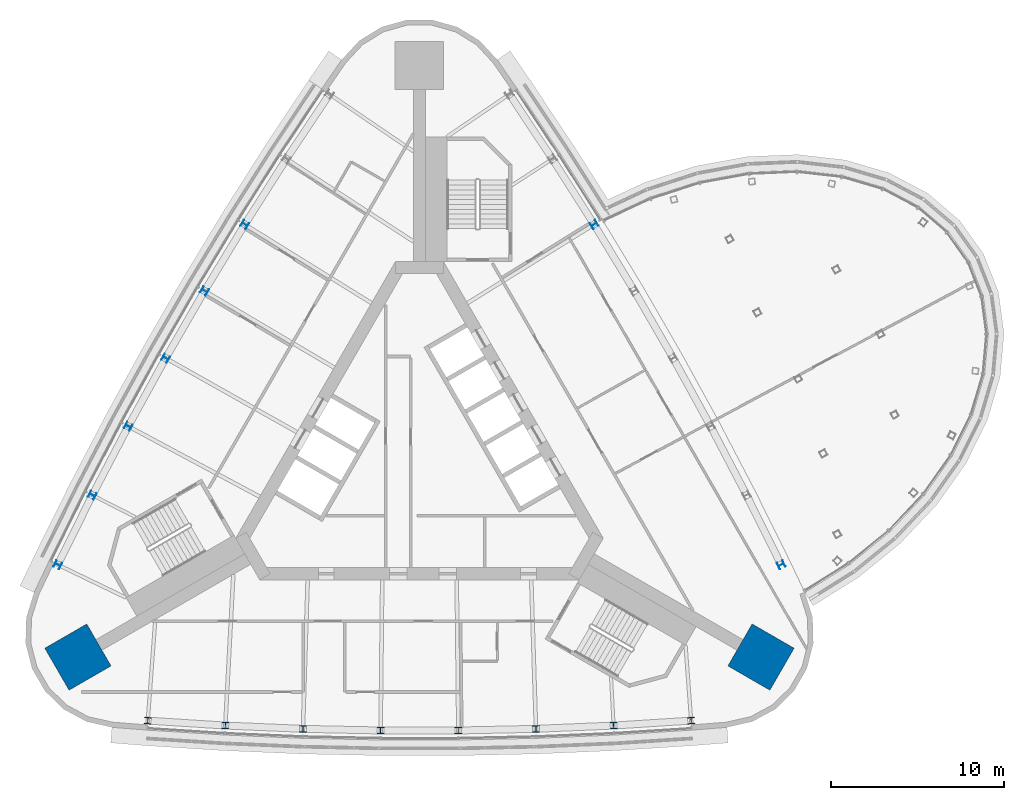
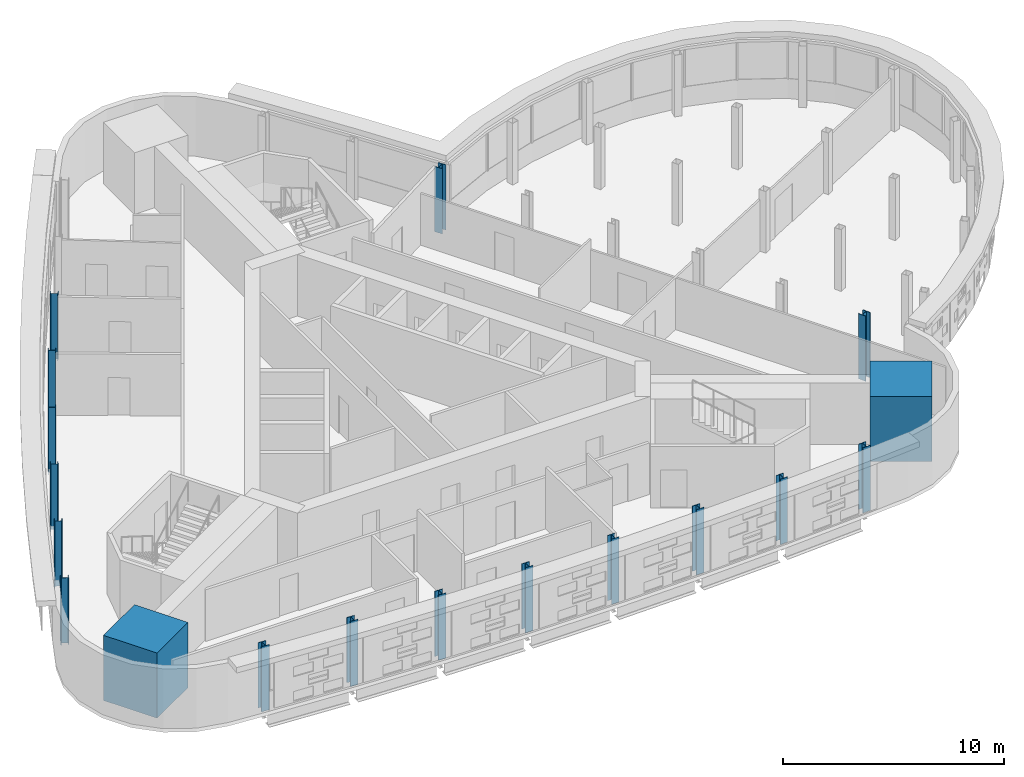
# One storey, part 1 of 15: 18 columns.
"""IFC4 building model written with IfcOpenShell, lengths in metres."""

from ifc_helpers import new_model, si_unit, direction, frame, origin, origin_2d, place, context, subcontext, project, spatial, rectangle, i_section, extrude, material, material_profile, profile_set, type_object, element, save


model = new_model("IFC4")

# Units and contexts
model_context = context("Model", 3, precision=1e-05, world=origin(), true_north=direction((0.0, 1.0)))
body_context = subcontext(model_context, "Body", "Model", "MODEL_VIEW")
ifc_project = project(units=[si_unit("LENGTHUNIT", "METRE"), si_unit("AREAUNIT", "SQUARE_METRE"), si_unit("VOLUMEUNIT", "CUBIC_METRE"), si_unit("PLANEANGLEUNIT", "RADIAN"), si_unit("MASSUNIT", "GRAM", prefix="KILO")], contexts=[model_context])

# Site, building, storey
site_placement = place(None, origin())
site = spatial("IfcSite", under=ifc_project, at=site_placement, CompositionType="ELEMENT")
building_placement = place(site_placement, origin())
building = spatial("IfcBuilding", under=site, at=building_placement, Name="Noor Cloister Tower", CompositionType="ELEMENT")
storey_placement = place(building_placement, frame((0.0, 0.0, 174.300048828125)))
storey = spatial("IfcBuildingStorey", under=building, at=storey_placement, Name="L44", CompositionType="ELEMENT", Elevation=174.300048828125)

# Columns
ifc_material_1 = material(Name="Steel ASTM A992 Gr 50", Category="steel")
ifc_material_profile_1 = material_profile(ifc_material_1, i_section(OverallWidth=0.39404296875, OverallDepth=0.3759765625, WebThickness=0.017333984375, FlangeThickness=0.027587890625, FilletRadius=0.01513671875, at=origin_2d()), Name="W360x216")
ifc_profile_set_1 = profile_set([ifc_material_profile_1], Name="Steel ASTM A992 Gr 50")
column_type_1 = type_object("IfcColumnType", Name="Column W360x216", PredefinedType="COLUMN", material=ifc_profile_set_1)
for number, where, z_axis, x_axis, name in (
    (1, (-10.0908203125, 13.5986328125, -0.199951171875), (0.0, 0.0, 1.0), (-0.527258715049, -0.849704800154, 0.0), "Column NW 03 L44"),
    (2, (-12.416748046875, 9.760009765625, -0.199951171875), (0.0, 0.0, 1.0), (-0.509143685622, -0.860681536569, 0.0), "Column NW 04 L44"),
    (3, (-14.660888671875, 5.873291015625, -0.199951171875), (0.0, 0.0, 1.0), (-0.490800232426, -0.87127213421, 0.0), "Column NW 05 L44"),
    (4, (-16.822265625, 1.939453125, -0.199951171875), (0.0, 0.0, 1.0), (-0.472236585126, -0.881471841676, 0.0), "Column NW 06 L44"),
    (5, (-18.899658203125, -2.0390625, -0.199951171875), (0.0, 0.0, 1.0), (-0.453461072156, -0.89127608295, 0.0), "Column NW 07 L44"),
    (6, (-20.892578125, -6.060546875, -0.199951171875), (0.0, 0.0, 1.0), (-0.434482117051, -0.90068045941, 0.0), "Column NW 08 L44"),
    (7, (-15.69482421875, -15.063232421875, -0.199951171875), (0.0, 0.0, 1.0), (0.997253217067, -0.074067678849, 0.0), "Column S 01 L44"),
    (8, (-11.215576171875, -15.34814453125, -0.199951171875), (0.0, 0.0, 1.0), (0.998598265698, -0.05292923336, 0.0), "Column S 02 L44"),
    (9, (-6.7314453125, -15.538330078125, -0.199951171875), (0.0, 0.0, 1.0), (0.999495300175, -0.031767041523, 0.0), "Column S 03 L44"),
    (10, (-2.244140625, -15.63330078125, -0.199951171875), (0.0, 0.0, 1.0), (0.999943918048, -0.01059059764, 0.0), "Column S 04 L44"),
    (11, (2.244140625, -15.63330078125, -0.199951171875), (0.0, 0.0, 1.0), (0.999943918048, 0.01059059764, 0.0), "Column S 05 L44"),
    (12, (6.7314453125, -15.538330078125, -0.199951171875), (0.0, 0.0, 1.0), (0.999495300175, 0.031767041523, 0.0), "Column S 06 L44"),
    (13, (11.215576171875, -15.34814453125, -0.199951171875), (0.0, 0.0, 1.0), (0.998598265698, 0.05292923336, 0.0), "Column S 07 L44"),
    (14, (15.69482421875, -15.063232421875, -0.199951171875), (0.0, 0.0, 1.0), (0.997253217067, 0.074067678849, 0.0), "Column S 08 L44"),
    (15, (20.892578125, -6.060546875, -0.199951171875), (0.0, 0.0, 1.0), (-0.434482117051, 0.90068045941, 0.0), "Column NE 01 L44"),
    (16, (10.0908203125, 13.5986328125, -0.199951171875), (0.0, 0.0, 1.0), (-0.527258715049, 0.849704800154, 0.0), "Column NE 06 L44"),
):
    element("IfcColumn", number, at=place(storey_placement, frame(where, z_axis=z_axis, x_axis=x_axis)), inside=storey, type_object=column_type_1, Name=name, PredefinedType="COLUMN", context=body_context, shape_type="SweptSolid", body=[
        extrude(i_section(OverallWidth=0.39404296875, OverallDepth=0.3759765625, WebThickness=0.017333984375, FlangeThickness=0.027587890625, FilletRadius=0.01513671875, at=origin_2d()), origin(), (0.0, 0.0, 1.0), 3.599853515625),
    ])
ifc_material_2 = material(Name="Concrete C70/85", Category="concrete")
ifc_material_profile_2 = material_profile(ifc_material_2, rectangle(XDim=2.800048828125, YDim=2.800048828125, at=origin_2d()), Name="RC 2800x2800")
ifc_profile_set_2 = profile_set([ifc_material_profile_2], Name="Concrete C70/85")
column_type_2 = type_object("IfcColumnType", Name="Corner pier 2800 x 2800 C70/85", PredefinedType="COLUMN", material=ifc_profile_set_2)
for number, where, z_axis, x_axis, name in (
    (17, (-19.7314453125, -11.39208984375, -0.199951171875), (0.0, 0.0, 1.0), (-0.866025403784, -0.5, 0.0), "Corner pier SW L44"),
    (18, (19.7314453125, -11.39208984375, -0.199951171875), (0.0, 0.0, 1.0), (0.866025403784, -0.5, 0.0), "Corner pier SE L44"),
):
    element("IfcColumn", number, at=place(storey_placement, frame(where, z_axis=z_axis, x_axis=x_axis)), inside=storey, type_object=column_type_2, Name=name, PredefinedType="COLUMN", context=body_context, shape_type="SweptSolid", body=[
        extrude(rectangle(XDim=2.800048828125, YDim=2.800048828125, at=origin_2d()), origin(), (0.0, 0.0, 1.0), 3.599853515625),
    ])

save(model, "model.ifc")
